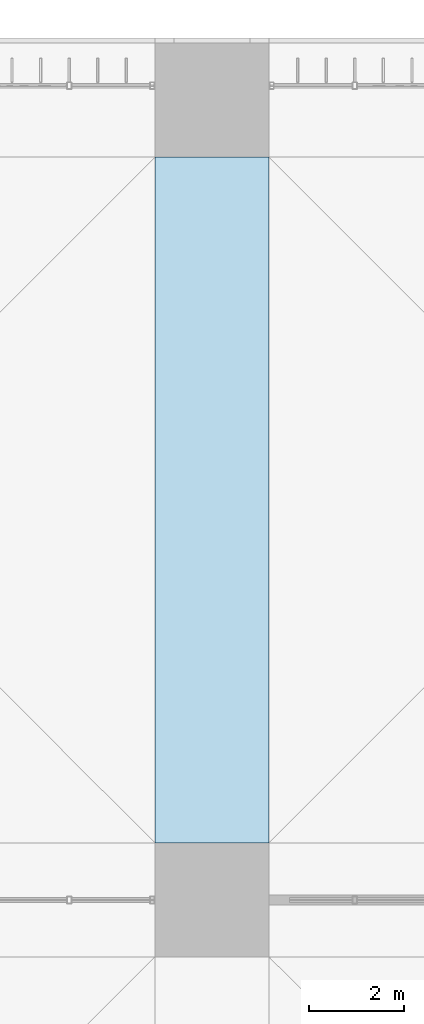
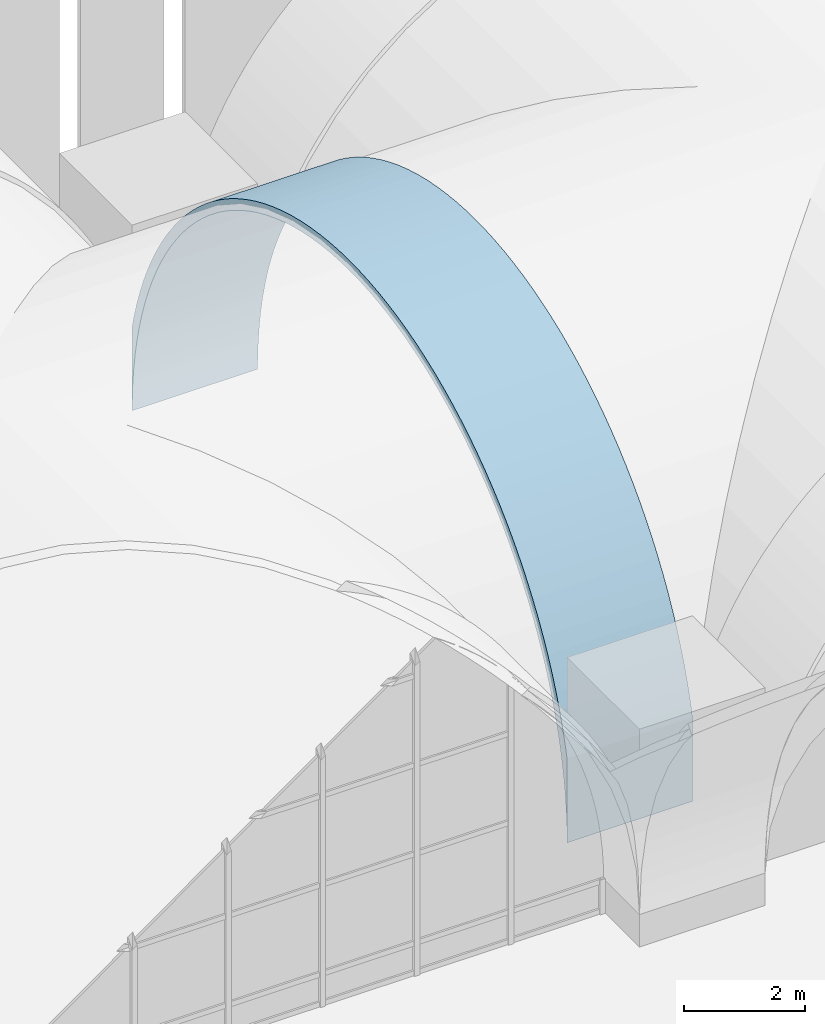
# One storey, part 144 of 169: 1 roof.
"""IFC4 building model written with IfcOpenShell, lengths in metres."""

from ifc_helpers import new_model, si_unit, direction, frame, origin, place, context, subcontext, project, spatial, polygons, material, layer, layer_set, type_object, element, save


model = new_model("IFC4")

# Units and contexts
model_context = context("Model", 3, precision=1e-05, world=origin(), true_north=direction((0.0, 1.0)))
body_context = subcontext(model_context, "Body", "Model", "MODEL_VIEW")
ifc_project = project(units=[si_unit("LENGTHUNIT", "METRE"), si_unit("AREAUNIT", "SQUARE_METRE"), si_unit("VOLUMEUNIT", "CUBIC_METRE"), si_unit("PLANEANGLEUNIT", "RADIAN"), si_unit("MASSUNIT", "GRAM", prefix="KILO")], contexts=[model_context])

# Site, building, storey
site_placement = place(None, origin())
site = spatial("IfcSite", under=ifc_project, at=site_placement, CompositionType="ELEMENT")
building_placement = place(site_placement, origin())
building = spatial("IfcBuilding", under=site, at=building_placement, Name="Verrick Yard Athletic Hall", CompositionType="ELEMENT")
storey_placement = place(building_placement, frame((0.0, 0.0, 4.39990234375)))
storey = spatial("IfcBuildingStorey", under=building, at=storey_placement, Name="L01", CompositionType="ELEMENT", Elevation=4.39990234375)

# Roof
ifc_material = material(Name="Concrete 35 MPa", Category="concrete")
ifc_layer = layer(ifc_material, 0.199951171875)
ifc_layer_set = layer_set([ifc_layer], Name="Arch rib 200")
roof_type = type_object("IfcRoofType", Name="Arch rib 200", PredefinedType="BARREL_ROOF", material=ifc_layer_set)
roof_placement = place(storey_placement, origin())
element("IfcRoof", 1, at=roof_placement, inside=storey, type_object=roof_type, Name="Vault rib X7-2", PredefinedType="BARREL_ROOF", context=body_context, shape_type="Tessellation", body=[
    polygons([(142.0, 37.199951171875, 2.352294921875), (142.0, 37.199951171875, 0.650146484375), (142.0, 37.206787109375, 0.964111328125), (142.0, 37.227294921875, 1.277587890625), (142.0, 37.26171875, 1.58984375), (142.0, 37.309326171875, 1.900390625), (142.0, 37.37060546875, 2.20849609375), (142.0, 37.4453125, 2.513671875), (142.0, 37.533203125, 2.815185546875), (142.0, 37.63427734375, 3.112548828125), (142.0, 37.748046875, 3.405517578125), (142.0, 37.87451171875, 3.693115234375), (142.0, 38.013427734375, 3.974609375), (142.0, 38.16455078125, 4.25), (142.0, 38.32763671875, 4.518798828125), (142.0, 38.502197265625, 4.77978515625), (142.0, 38.68798828125, 5.033203125), (142.0, 38.884521484375, 5.278076171875), (142.0, 39.091552734375, 5.514404296875), (142.0, 39.308837890625, 5.7412109375), (142.0, 39.535888671875, 5.95849609375), (142.0, 39.77197265625, 6.16552734375), (142.0, 40.016845703125, 6.3623046875), (142.0, 40.270263671875, 6.548095703125), (142.0, 40.531494140625, 6.722412109375), (142.0, 40.800048828125, 6.885498046875), (142.0, 41.075439453125, 7.03662109375), (142.0, 41.357177734375, 7.175537109375), (142.0, 41.644775390625, 7.302001953125), (142.0, 41.9375, 7.416015625), (142.0, 42.23486328125, 7.516845703125), (142.0, 42.53662109375, 7.604736328125), (142.0, 42.841552734375, 7.679443359375), (142.0, 43.149658203125, 7.74072265625), (142.0, 43.460205078125, 7.78857421875), (142.0, 43.7724609375, 7.82275390625), (142.0, 44.0859375, 7.84326171875), (142.0, 44.39990234375, 7.85009765625), (142.0, 44.714111328125, 7.84326171875), (142.0, 45.027587890625, 7.82275390625), (142.0, 45.33984375, 7.78857421875), (142.0, 45.650390625, 7.74072265625), (142.0, 45.95849609375, 7.679443359375), (142.0, 46.263427734375, 7.604736328125), (142.0, 46.565185546875, 7.516845703125), (142.0, 46.862548828125, 7.416015625), (142.0, 47.1552734375, 7.302001953125), (142.0, 47.44287109375, 7.175537109375), (142.0, 47.724609375, 7.03662109375), (142.0, 48.0, 6.885498046875), (142.0, 48.2685546875, 6.722412109375), (142.0, 48.52978515625, 6.548095703125), (142.0, 48.783203125, 6.3623046875), (142.0, 49.028076171875, 6.16552734375), (142.0, 49.26416015625, 5.95849609375), (142.0, 49.4912109375, 5.7412109375), (142.0, 49.70849609375, 5.514404296875), (142.0, 49.91552734375, 5.278076171875), (142.0, 50.112060546875, 5.033203125), (142.0, 50.2978515625, 4.77978515625), (142.0, 50.472412109375, 4.518798828125), (142.0, 50.635498046875, 4.25), (142.0, 50.78662109375, 3.974609375), (142.0, 50.92529296875, 3.693115234375), (142.0, 51.052001953125, 3.405517578125), (142.0, 51.165771484375, 3.112548828125), (142.0, 51.266845703125, 2.815185546875), (142.0, 51.354736328125, 2.513671875), (142.0, 51.42919921875, 2.20849609375), (142.0, 51.490478515625, 1.900390625), (142.0, 51.538330078125, 1.58984375), (142.0, 51.572509765625, 1.277587890625), (142.0, 51.593017578125, 0.964111328125), (142.0, 51.60009765625, 0.650146484375), (142.0, 51.60009765625, 2.352294921875), (142.0, 51.5478515625, 2.5654296875), (142.0, 51.45751953125, 2.875244140625), (142.0, 51.353759765625, 3.180908203125), (142.0, 51.23681640625, 3.48193359375), (142.0, 51.106689453125, 3.777587890625), (142.0, 50.9638671875, 4.06689453125), (142.0, 50.80859375, 4.35009765625), (142.0, 50.64111328125, 4.6259765625), (142.0, 50.461669921875, 4.89453125), (142.0, 50.270751953125, 5.15478515625), (142.0, 50.068603515625, 5.40673828125), (142.0, 49.85595703125, 5.6494140625), (142.0, 49.632568359375, 5.8828125), (142.0, 49.3994140625, 6.10595703125), (142.0, 49.156494140625, 6.31884765625), (142.0, 48.90478515625, 6.52099609375), (142.0, 48.64453125, 6.7119140625), (142.0, 48.3759765625, 6.89111328125), (142.0, 48.10009765625, 7.05859375), (142.0, 47.81689453125, 7.214111328125), (142.0, 47.52734375, 7.356689453125), (142.0, 47.23193359375, 7.48681640625), (142.0, 46.930908203125, 7.603759765625), (142.0, 46.625244140625, 7.70751953125), (142.0, 46.315185546875, 7.798095703125), (142.0, 46.001708984375, 7.874755859375), (142.0, 45.68505859375, 7.937744140625), (142.0, 45.365966796875, 7.98681640625), (142.0, 45.044921875, 8.02197265625), (142.0, 44.722900390625, 8.043212890625), (142.0, 44.39990234375, 8.050048828125), (142.0, 44.0771484375, 8.043212890625), (142.0, 43.7548828125, 8.02197265625), (142.0, 43.43408203125, 7.98681640625), (142.0, 43.114990234375, 7.937744140625), (142.0, 42.79833984375, 7.874755859375), (142.0, 42.484619140625, 7.798095703125), (142.0, 42.1748046875, 7.70751953125), (142.0, 41.869140625, 7.603759765625), (142.0, 41.568115234375, 7.48681640625), (142.0, 41.272705078125, 7.356689453125), (142.0, 40.983154296875, 7.214111328125), (142.0, 40.699951171875, 7.05859375), (142.0, 40.424072265625, 6.89111328125), (142.0, 40.155517578125, 6.7119140625), (142.0, 39.895263671875, 6.52099609375), (142.0, 39.643310546875, 6.31884765625), (142.0, 39.400634765625, 6.10595703125), (142.0, 39.16748046875, 5.8828125), (142.0, 38.944091796875, 5.6494140625), (142.0, 38.731201171875, 5.40673828125), (142.0, 38.529296875, 5.15478515625), (142.0, 38.33837890625, 4.89453125), (142.0, 38.158935546875, 4.6259765625), (142.0, 37.991455078125, 4.35009765625), (142.0, 37.836181640625, 4.06689453125), (142.0, 37.693359375, 3.777587890625), (142.0, 37.563232421875, 3.48193359375), (142.0, 37.4462890625, 3.180908203125), (142.0, 37.342529296875, 2.875244140625), (142.0, 37.252197265625, 2.5654296875), (139.60009765625, 37.199951171875, 2.352294921875), (139.60009765625, 37.199951171875, 0.650146484375), (139.60009765625, 37.206787109375, 0.964111328125), (139.60009765625, 37.227294921875, 1.277587890625), (139.60009765625, 37.26171875, 1.58984375), (139.60009765625, 37.309326171875, 1.900390625), (139.60009765625, 37.37060546875, 2.20849609375), (139.60009765625, 37.4453125, 2.513671875), (139.60009765625, 37.533203125, 2.815185546875), (139.60009765625, 37.63427734375, 3.112548828125), (139.60009765625, 37.748046875, 3.405517578125), (139.60009765625, 37.87451171875, 3.693115234375), (139.60009765625, 38.013427734375, 3.974609375), (139.60009765625, 38.16455078125, 4.25), (139.60009765625, 38.32763671875, 4.518798828125), (139.60009765625, 38.502197265625, 4.77978515625), (139.60009765625, 38.68798828125, 5.033203125), (139.60009765625, 38.884521484375, 5.278076171875), (139.60009765625, 39.091552734375, 5.514404296875), (139.60009765625, 39.308837890625, 5.7412109375), (139.60009765625, 39.535888671875, 5.95849609375), (139.60009765625, 39.77197265625, 6.16552734375), (139.60009765625, 40.016845703125, 6.3623046875), (139.60009765625, 40.270263671875, 6.548095703125), (139.60009765625, 40.531494140625, 6.722412109375), (139.60009765625, 40.800048828125, 6.885498046875), (139.60009765625, 41.075439453125, 7.03662109375), (139.60009765625, 41.357177734375, 7.175537109375), (139.60009765625, 41.644775390625, 7.302001953125), (139.60009765625, 41.9375, 7.416015625), (139.60009765625, 42.23486328125, 7.516845703125), (139.60009765625, 42.53662109375, 7.604736328125), (139.60009765625, 42.841552734375, 7.679443359375), (139.60009765625, 43.149658203125, 7.74072265625), (139.60009765625, 43.460205078125, 7.78857421875), (139.60009765625, 43.7724609375, 7.82275390625), (139.60009765625, 44.0859375, 7.84326171875), (139.60009765625, 44.39990234375, 7.85009765625), (139.60009765625, 44.714111328125, 7.84326171875), (139.60009765625, 45.027587890625, 7.82275390625), (139.60009765625, 45.33984375, 7.78857421875), (139.60009765625, 45.650390625, 7.74072265625), (139.60009765625, 45.95849609375, 7.679443359375), (139.60009765625, 46.263427734375, 7.604736328125), (139.60009765625, 46.565185546875, 7.516845703125), (139.60009765625, 46.862548828125, 7.416015625), (139.60009765625, 47.1552734375, 7.302001953125), (139.60009765625, 47.44287109375, 7.175537109375), (139.60009765625, 47.724609375, 7.03662109375), (139.60009765625, 48.0, 6.885498046875), (139.60009765625, 48.2685546875, 6.722412109375), (139.60009765625, 48.52978515625, 6.548095703125), (139.60009765625, 48.783203125, 6.3623046875), (139.60009765625, 49.028076171875, 6.16552734375), (139.60009765625, 49.26416015625, 5.95849609375), (139.60009765625, 49.4912109375, 5.7412109375), (139.60009765625, 49.70849609375, 5.514404296875), (139.60009765625, 49.91552734375, 5.278076171875), (139.60009765625, 50.112060546875, 5.033203125), (139.60009765625, 50.2978515625, 4.77978515625), (139.60009765625, 50.472412109375, 4.518798828125), (139.60009765625, 50.635498046875, 4.25), (139.60009765625, 50.78662109375, 3.974609375), (139.60009765625, 50.92529296875, 3.693115234375), (139.60009765625, 51.052001953125, 3.405517578125), (139.60009765625, 51.165771484375, 3.112548828125), (139.60009765625, 51.266845703125, 2.815185546875), (139.60009765625, 51.354736328125, 2.513671875), (139.60009765625, 51.42919921875, 2.20849609375), (139.60009765625, 51.490478515625, 1.900390625), (139.60009765625, 51.538330078125, 1.58984375), (139.60009765625, 51.572509765625, 1.277587890625), (139.60009765625, 51.593017578125, 0.964111328125), (139.60009765625, 51.60009765625, 0.650146484375), (139.60009765625, 51.60009765625, 2.352294921875), (139.60009765625, 51.5478515625, 2.5654296875), (139.60009765625, 51.45751953125, 2.875244140625), (139.60009765625, 51.353759765625, 3.180908203125), (139.60009765625, 51.23681640625, 3.48193359375), (139.60009765625, 51.106689453125, 3.777587890625), (139.60009765625, 50.9638671875, 4.06689453125), (139.60009765625, 50.80859375, 4.35009765625), (139.60009765625, 50.64111328125, 4.6259765625), (139.60009765625, 50.461669921875, 4.89453125), (139.60009765625, 50.270751953125, 5.15478515625), (139.60009765625, 50.068603515625, 5.40673828125), (139.60009765625, 49.85595703125, 5.6494140625), (139.60009765625, 49.632568359375, 5.8828125), (139.60009765625, 49.3994140625, 6.10595703125), (139.60009765625, 49.156494140625, 6.31884765625), (139.60009765625, 48.90478515625, 6.52099609375), (139.60009765625, 48.64453125, 6.7119140625), (139.60009765625, 48.3759765625, 6.89111328125), (139.60009765625, 48.10009765625, 7.05859375), (139.60009765625, 47.81689453125, 7.214111328125), (139.60009765625, 47.52734375, 7.356689453125), (139.60009765625, 47.23193359375, 7.48681640625), (139.60009765625, 46.930908203125, 7.603759765625), (139.60009765625, 46.625244140625, 7.70751953125), (139.60009765625, 46.315185546875, 7.798095703125), (139.60009765625, 46.001708984375, 7.874755859375), (139.60009765625, 45.68505859375, 7.937744140625), (139.60009765625, 45.365966796875, 7.98681640625), (139.60009765625, 45.044921875, 8.02197265625), (139.60009765625, 44.722900390625, 8.043212890625), (139.60009765625, 44.39990234375, 8.050048828125), (139.60009765625, 44.0771484375, 8.043212890625), (139.60009765625, 43.7548828125, 8.02197265625), (139.60009765625, 43.43408203125, 7.98681640625), (139.60009765625, 43.114990234375, 7.937744140625), (139.60009765625, 42.79833984375, 7.874755859375), (139.60009765625, 42.484619140625, 7.798095703125), (139.60009765625, 42.1748046875, 7.70751953125), (139.60009765625, 41.869140625, 7.603759765625), (139.60009765625, 41.568115234375, 7.48681640625), (139.60009765625, 41.272705078125, 7.356689453125), (139.60009765625, 40.983154296875, 7.214111328125), (139.60009765625, 40.699951171875, 7.05859375), (139.60009765625, 40.424072265625, 6.89111328125), (139.60009765625, 40.155517578125, 6.7119140625), (139.60009765625, 39.895263671875, 6.52099609375), (139.60009765625, 39.643310546875, 6.31884765625), (139.60009765625, 39.400634765625, 6.10595703125), (139.60009765625, 39.16748046875, 5.8828125), (139.60009765625, 38.944091796875, 5.6494140625), (139.60009765625, 38.731201171875, 5.40673828125), (139.60009765625, 38.529296875, 5.15478515625), (139.60009765625, 38.33837890625, 4.89453125), (139.60009765625, 38.158935546875, 4.6259765625), (139.60009765625, 37.991455078125, 4.35009765625), (139.60009765625, 37.836181640625, 4.06689453125), (139.60009765625, 37.693359375, 3.777587890625), (139.60009765625, 37.563232421875, 3.48193359375), (139.60009765625, 37.4462890625, 3.180908203125), (139.60009765625, 37.342529296875, 2.875244140625), (139.60009765625, 37.252197265625, 2.5654296875)], [[[1, 2, 3]], [[137, 139, 138]], [[136, 1, 3]], [[272, 139, 137]], [[136, 3, 4]], [[272, 140, 139]], [[136, 4, 5]], [[272, 141, 140]], [[136, 5, 6]], [[272, 142, 141]], [[136, 6, 7]], [[272, 143, 142]], [[136, 7, 8]], [[272, 144, 143]], [[136, 8, 9]], [[272, 145, 144]], [[136, 9, 10]], [[272, 146, 145]], [[136, 10, 11]], [[272, 147, 146]], [[136, 11, 12]], [[272, 148, 147]], [[136, 12, 13]], [[272, 149, 148]], [[73, 74, 75]], [[209, 211, 210]], [[72, 73, 75]], [[208, 211, 209]], [[71, 72, 75]], [[207, 211, 208]], [[70, 71, 75]], [[206, 211, 207]], [[69, 70, 75]], [[205, 211, 206]], [[68, 69, 75]], [[204, 211, 205]], [[67, 68, 75]], [[203, 211, 204]], [[66, 67, 75]], [[202, 211, 203]], [[65, 66, 75]], [[201, 211, 202]], [[64, 65, 75]], [[200, 211, 201]], [[63, 64, 75]], [[199, 211, 200]], [[63, 75, 76]], [[199, 212, 211]], [[63, 76, 77]], [[199, 213, 212]], [[62, 63, 77]], [[198, 213, 199]], [[62, 77, 78]], [[198, 214, 213]], [[61, 62, 78]], [[197, 214, 198]], [[61, 78, 79]], [[197, 215, 214]], [[60, 61, 79]], [[196, 215, 197]], [[60, 79, 80]], [[196, 216, 215]], [[59, 60, 80]], [[195, 216, 196]], [[59, 80, 81]], [[195, 217, 216]], [[58, 59, 81]], [[194, 217, 195]], [[58, 81, 82]], [[194, 218, 217]], [[57, 58, 82]], [[193, 218, 194]], [[57, 82, 83]], [[193, 219, 218]], [[56, 57, 83]], [[192, 219, 193]], [[56, 83, 84]], [[192, 220, 219]], [[55, 56, 84]], [[191, 220, 192]], [[55, 84, 85]], [[191, 221, 220]], [[54, 55, 85]], [[190, 221, 191]], [[54, 85, 86]], [[190, 222, 221]], [[53, 54, 86]], [[189, 222, 190]], [[53, 86, 87]], [[189, 223, 222]], [[52, 53, 87]], [[188, 223, 189]], [[52, 87, 88]], [[188, 224, 223]], [[51, 52, 88]], [[187, 224, 188]], [[51, 88, 89]], [[187, 225, 224]], [[50, 51, 89]], [[186, 225, 187]], [[50, 89, 90]], [[186, 226, 225]], [[49, 50, 90]], [[185, 226, 186]], [[49, 90, 91]], [[185, 227, 226]], [[48, 49, 91]], [[184, 227, 185]], [[48, 91, 92]], [[184, 228, 227]], [[47, 48, 92]], [[183, 228, 184]], [[47, 92, 93]], [[183, 229, 228]], [[46, 47, 93]], [[182, 229, 183]], [[46, 93, 94]], [[182, 230, 229]], [[45, 46, 94]], [[181, 230, 182]], [[45, 94, 95]], [[181, 231, 230]], [[44, 45, 95]], [[180, 231, 181]], [[44, 95, 96]], [[180, 232, 231]], [[43, 44, 96]], [[179, 232, 180]], [[43, 96, 97]], [[179, 233, 232]], [[42, 43, 97]], [[178, 233, 179]], [[42, 97, 98]], [[178, 234, 233]], [[41, 42, 98]], [[177, 234, 178]], [[41, 98, 99]], [[177, 235, 234]], [[40, 41, 99]], [[176, 235, 177]], [[40, 99, 100]], [[176, 236, 235]], [[39, 40, 100]], [[175, 236, 176]], [[39, 100, 101]], [[175, 237, 236]], [[38, 39, 101]], [[174, 237, 175]], [[38, 101, 102]], [[174, 238, 237]], [[37, 38, 102]], [[173, 238, 174]], [[37, 102, 103]], [[173, 239, 238]], [[36, 37, 103]], [[172, 239, 173]], [[36, 103, 104]], [[172, 240, 239]], [[35, 36, 104]], [[171, 240, 172]], [[35, 104, 105]], [[171, 241, 240]], [[34, 35, 105]], [[170, 241, 171]], [[34, 105, 106]], [[170, 242, 241]], [[33, 34, 106]], [[169, 242, 170]], [[33, 106, 107]], [[169, 243, 242]], [[32, 33, 107]], [[168, 243, 169]], [[32, 107, 108]], [[168, 244, 243]], [[31, 32, 108]], [[167, 244, 168]], [[31, 108, 109]], [[167, 245, 244]], [[30, 31, 109]], [[166, 245, 167]], [[30, 109, 110]], [[166, 246, 245]], [[29, 30, 110]], [[165, 246, 166]], [[29, 110, 111]], [[165, 247, 246]], [[28, 29, 111]], [[164, 247, 165]], [[28, 111, 112]], [[164, 248, 247]], [[27, 28, 112]], [[163, 248, 164]], [[27, 112, 113]], [[163, 249, 248]], [[26, 27, 113]], [[162, 249, 163]], [[26, 113, 114]], [[162, 250, 249]], [[25, 26, 114]], [[161, 250, 162]], [[25, 114, 115]], [[161, 251, 250]], [[24, 25, 115]], [[160, 251, 161]], [[24, 115, 116]], [[160, 252, 251]], [[23, 24, 116]], [[159, 252, 160]], [[23, 116, 117]], [[159, 253, 252]], [[22, 23, 117]], [[158, 253, 159]], [[22, 117, 118]], [[158, 254, 253]], [[21, 22, 118]], [[157, 254, 158]], [[21, 118, 119]], [[157, 255, 254]], [[20, 21, 119]], [[156, 255, 157]], [[20, 119, 120]], [[156, 256, 255]], [[19, 20, 120]], [[155, 256, 156]], [[19, 120, 121]], [[155, 257, 256]], [[18, 19, 121]], [[154, 257, 155]], [[18, 121, 122]], [[154, 258, 257]], [[17, 18, 122]], [[153, 258, 154]], [[17, 122, 123]], [[153, 259, 258]], [[16, 17, 123]], [[152, 259, 153]], [[16, 123, 124]], [[152, 260, 259]], [[15, 16, 124]], [[151, 260, 152]], [[15, 124, 125]], [[151, 261, 260]], [[14, 15, 125]], [[150, 261, 151]], [[14, 125, 126]], [[150, 262, 261]], [[13, 14, 126]], [[149, 262, 150]], [[136, 13, 126]], [[272, 262, 149]], [[136, 126, 127]], [[272, 263, 262]], [[136, 127, 128]], [[272, 264, 263]], [[136, 128, 129]], [[272, 265, 264]], [[136, 129, 130]], [[272, 266, 265]], [[136, 130, 131]], [[272, 267, 266]], [[136, 131, 132]], [[272, 268, 267]], [[136, 132, 133]], [[272, 269, 268]], [[136, 133, 134]], [[272, 270, 269]], [[134, 135, 136]], [[270, 272, 271]], [[1, 138, 2]], [[1, 137, 138]], [[2, 139, 3]], [[2, 138, 139]], [[3, 140, 4]], [[3, 139, 140]], [[4, 141, 5]], [[4, 140, 141]], [[5, 142, 6]], [[5, 141, 142]], [[6, 143, 7]], [[6, 142, 143]], [[7, 144, 8]], [[7, 143, 144]], [[8, 145, 9]], [[8, 144, 145]], [[9, 146, 10]], [[9, 145, 146]], [[10, 147, 11]], [[10, 146, 147]], [[11, 148, 12]], [[11, 147, 148]], [[12, 149, 13]], [[12, 148, 149]], [[13, 150, 14]], [[13, 149, 150]], [[14, 151, 15]], [[14, 150, 151]], [[15, 152, 16]], [[15, 151, 152]], [[16, 153, 17]], [[16, 152, 153]], [[17, 154, 18]], [[17, 153, 154]], [[18, 155, 19]], [[18, 154, 155]], [[19, 156, 20]], [[19, 155, 156]], [[20, 157, 21]], [[20, 156, 157]], [[21, 158, 22]], [[21, 157, 158]], [[22, 159, 23]], [[22, 158, 159]], [[23, 160, 24]], [[23, 159, 160]], [[24, 161, 25]], [[24, 160, 161]], [[25, 162, 26]], [[25, 161, 162]], [[26, 163, 27]], [[26, 162, 163]], [[27, 164, 28]], [[27, 163, 164]], [[28, 165, 29]], [[28, 164, 165]], [[29, 166, 30]], [[29, 165, 166]], [[30, 167, 31]], [[30, 166, 167]], [[31, 168, 32]], [[31, 167, 168]], [[32, 169, 33]], [[32, 168, 169]], [[33, 170, 34]], [[33, 169, 170]], [[34, 171, 35]], [[34, 170, 171]], [[35, 172, 36]], [[35, 171, 172]], [[36, 173, 37]], [[36, 172, 173]], [[37, 174, 38]], [[37, 173, 174]], [[38, 175, 39]], [[38, 174, 175]], [[39, 176, 40]], [[39, 175, 176]], [[40, 177, 41]], [[40, 176, 177]], [[41, 178, 42]], [[41, 177, 178]], [[42, 179, 43]], [[42, 178, 179]], [[43, 180, 44]], [[43, 179, 180]], [[44, 181, 45]], [[44, 180, 181]], [[45, 182, 46]], [[45, 181, 182]], [[46, 183, 47]], [[46, 182, 183]], [[47, 184, 48]], [[47, 183, 184]], [[48, 185, 49]], [[48, 184, 185]], [[49, 186, 50]], [[49, 185, 186]], [[50, 187, 51]], [[50, 186, 187]], [[51, 188, 52]], [[51, 187, 188]], [[52, 189, 53]], [[52, 188, 189]], [[53, 190, 54]], [[53, 189, 190]], [[54, 191, 55]], [[54, 190, 191]], [[55, 192, 56]], [[55, 191, 192]], [[56, 193, 57]], [[56, 192, 193]], [[57, 194, 58]], [[57, 193, 194]], [[58, 195, 59]], [[58, 194, 195]], [[59, 196, 60]], [[59, 195, 196]], [[60, 197, 61]], [[60, 196, 197]], [[61, 198, 62]], [[61, 197, 198]], [[62, 199, 63]], [[62, 198, 199]], [[63, 200, 64]], [[63, 199, 200]], [[64, 201, 65]], [[64, 200, 201]], [[65, 202, 66]], [[65, 201, 202]], [[66, 203, 67]], [[66, 202, 203]], [[67, 204, 68]], [[67, 203, 204]], [[68, 205, 69]], [[68, 204, 205]], [[69, 206, 70]], [[69, 205, 206]], [[70, 207, 71]], [[70, 206, 207]], [[71, 208, 72]], [[71, 207, 208]], [[72, 209, 73]], [[72, 208, 209]], [[73, 210, 74]], [[73, 209, 210]], [[74, 211, 75]], [[74, 210, 211]], [[75, 212, 76]], [[75, 211, 212]], [[76, 213, 77]], [[76, 212, 213]], [[77, 214, 78]], [[77, 213, 214]], [[78, 215, 79]], [[78, 214, 215]], [[79, 216, 80]], [[79, 215, 216]], [[80, 217, 81]], [[80, 216, 217]], [[81, 218, 82]], [[81, 217, 218]], [[82, 219, 83]], [[82, 218, 219]], [[83, 220, 84]], [[83, 219, 220]], [[84, 221, 85]], [[84, 220, 221]], [[85, 222, 86]], [[85, 221, 222]], [[86, 223, 87]], [[86, 222, 223]], [[87, 224, 88]], [[87, 223, 224]], [[88, 225, 89]], [[88, 224, 225]], [[89, 226, 90]], [[89, 225, 226]], [[90, 227, 91]], [[90, 226, 227]], [[91, 228, 92]], [[91, 227, 228]], [[92, 229, 93]], [[92, 228, 229]], [[93, 230, 94]], [[93, 229, 230]], [[94, 231, 95]], [[94, 230, 231]], [[95, 232, 96]], [[95, 231, 232]], [[96, 233, 97]], [[96, 232, 233]], [[97, 234, 98]], [[97, 233, 234]], [[98, 235, 99]], [[98, 234, 235]], [[99, 236, 100]], [[99, 235, 236]], [[100, 237, 101]], [[100, 236, 237]], [[101, 238, 102]], [[101, 237, 238]], [[102, 239, 103]], [[102, 238, 239]], [[103, 240, 104]], [[103, 239, 240]], [[104, 241, 105]], [[104, 240, 241]], [[105, 242, 106]], [[105, 241, 242]], [[106, 243, 107]], [[106, 242, 243]], [[107, 244, 108]], [[107, 243, 244]], [[108, 245, 109]], [[108, 244, 245]], [[109, 246, 110]], [[109, 245, 246]], [[110, 247, 111]], [[110, 246, 247]], [[111, 248, 112]], [[111, 247, 248]], [[112, 249, 113]], [[112, 248, 249]], [[113, 250, 114]], [[113, 249, 250]], [[114, 251, 115]], [[114, 250, 251]], [[115, 252, 116]], [[115, 251, 252]], [[116, 253, 117]], [[116, 252, 253]], [[117, 254, 118]], [[117, 253, 254]], [[118, 255, 119]], [[118, 254, 255]], [[119, 256, 120]], [[119, 255, 256]], [[120, 257, 121]], [[120, 256, 257]], [[121, 258, 122]], [[121, 257, 258]], [[122, 259, 123]], [[122, 258, 259]], [[123, 260, 124]], [[123, 259, 260]], [[124, 261, 125]], [[124, 260, 261]], [[125, 262, 126]], [[125, 261, 262]], [[126, 263, 127]], [[126, 262, 263]], [[127, 264, 128]], [[127, 263, 264]], [[128, 265, 129]], [[128, 264, 265]], [[129, 266, 130]], [[129, 265, 266]], [[130, 267, 131]], [[130, 266, 267]], [[131, 268, 132]], [[131, 267, 268]], [[132, 269, 133]], [[132, 268, 269]], [[133, 270, 134]], [[133, 269, 270]], [[134, 271, 135]], [[134, 270, 271]], [[135, 272, 136]], [[135, 271, 272]], [[136, 137, 1]], [[136, 272, 137]]], closed=True),
])

save(model, "model.ifc")
